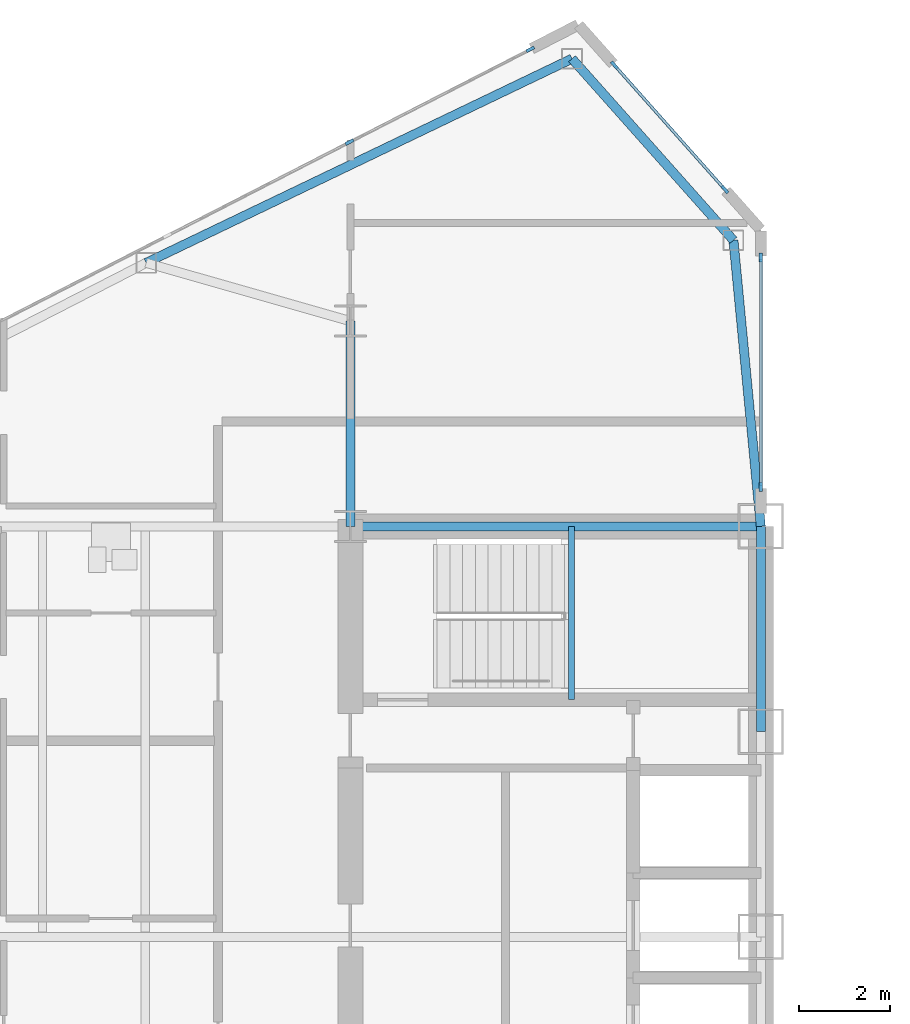
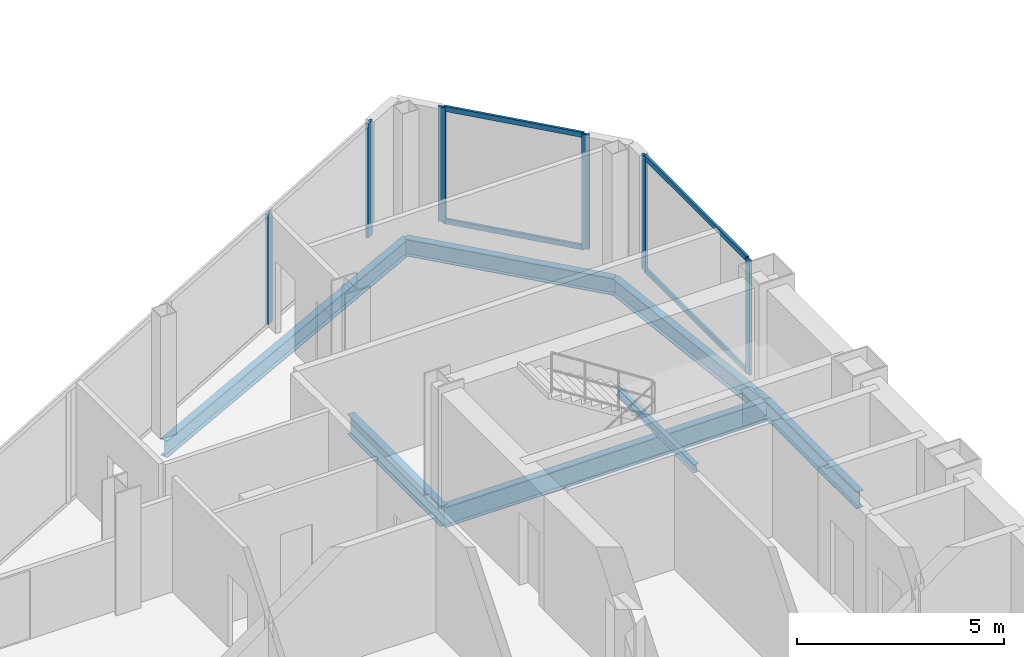
# One storey, part 7 of 23: 10 members, 7 beams, 3 elements without a shape of their own.
"""IFC4 building model written with IfcOpenShell, lengths in metres."""

from ifc_helpers import new_model, si_unit, direction, frame, origin, origin_2d, place, context, subcontext, project, spatial, rectangle, i_section, extrude, source, transform, mapped, material, layer, layer_set, material_profile, profile_set, type_object, type_shapes, element, aggregate, save


model = new_model("IFC4")

# Units and contexts
model_context = context("Model", 3, precision=1e-05, world=origin(), true_north=direction((0.0, 1.0)))
body_context = subcontext(model_context, "Body", "Model", "MODEL_VIEW")
ifc_project = project(units=[si_unit("LENGTHUNIT", "METRE"), si_unit("AREAUNIT", "SQUARE_METRE"), si_unit("VOLUMEUNIT", "CUBIC_METRE"), si_unit("PLANEANGLEUNIT", "RADIAN"), si_unit("MASSUNIT", "GRAM", prefix="KILO")], contexts=[model_context])

# Site, building, storey
site_placement = place(None, origin())
site = spatial("IfcSite", under=ifc_project, at=site_placement, CompositionType="ELEMENT")
building_placement = place(site_placement, origin())
building = spatial("IfcBuilding", under=site, at=building_placement, Name="Seokmaru Belvedere", CompositionType="ELEMENT")
storey_placement = place(building_placement, frame((0.0, 0.0, 154.800048828125)))
storey = spatial("IfcBuildingStorey", under=building, at=storey_placement, Name="L41", CompositionType="ELEMENT", Elevation=154.800048828125)

# Beams
ifc_material_1 = material(Name="Steel SM355 (355 MPa)", Category="steel")
ifc_material_profile_1 = material_profile(ifc_material_1, i_section(OverallWidth=0.199951171875, OverallDepth=0.5, WebThickness=0.010009765625, FlangeThickness=0.01611328125, at=origin_2d()), Name="H-500x200x10x16")
ifc_profile_set_1 = profile_set([ifc_material_profile_1], Name="Steel SM355 (355 MPa)")
beam_type_1 = type_object("IfcBeamType", Name="Perimeter Spandrel Beam H-500", PredefinedType="SPANDREL", material=ifc_profile_set_1)
shared_shape_1 = source(origin(), body_context, "Body", "SweptSolid", [
    extrude(i_section(OverallWidth=0.199951171875, OverallDepth=0.5, WebThickness=0.010009765625, FlangeThickness=0.01611328125, at=origin_2d()), origin(), (0.0, 0.0, 1.0), 4.5),
])
beam_1_placement = place(storey_placement, frame((-27.5, 9.0, -0.469970703125), z_axis=(0.0, 1.0, 0.0), x_axis=(-1.0, 0.0, 0.0)))
element("IfcBeam", 1, at=beam_1_placement, inside=storey, type_object=beam_type_1, Name="L41 W Portal Spine Spandrel 5", PredefinedType="SPANDREL", context=body_context, shape_type="MappedRepresentation", body=[
    mapped(shared_shape_1, transform((0.0, 0.0, 0.0), scale=1.0)),
])
ifc_material_profile_2 = material_profile(ifc_material_1, i_section(OverallWidth=0.199951171875, OverallDepth=0.60009765625, WebThickness=0.010986328125, FlangeThickness=0.01708984375, at=origin_2d()), Name="H-600x200x11x17")
ifc_profile_set_2 = profile_set([ifc_material_profile_2], Name="Steel SM355 (355 MPa)")
beam_type_2 = type_object("IfcBeamType", Name="Primary Floor Girder H-600", PredefinedType="BEAM", material=ifc_profile_set_2)
shared_shape_2 = source(origin(), body_context, "Body", "SweptSolid", [
    extrude(i_section(OverallWidth=0.199951171875, OverallDepth=0.60009765625, WebThickness=0.010986328125, FlangeThickness=0.01708984375, at=origin_2d()), origin(), (0.0, 0.0, 1.0), 9.0),
])
beam_2_placement = place(storey_placement, frame((-36.5, 13.5, -0.52001953125), z_axis=(1.0, 0.0, 0.0), x_axis=(0.0, 1.0, 0.0)))
element("IfcBeam", 2, at=beam_2_placement, inside=storey, type_object=beam_type_2, Name="L41 W Core Tie Girder 4", PredefinedType="BEAM", context=body_context, shape_type="MappedRepresentation", body=[
    mapped(shared_shape_2, transform((0.0, 0.0, 0.0), scale=1.0)),
])
shared_shape_3 = source(origin(), body_context, "Body", "SweptSolid", [
    extrude(i_section(OverallWidth=0.199951171875, OverallDepth=0.60009765625, WebThickness=0.010986328125, FlangeThickness=0.01708984375, at=origin_2d()), origin(), (0.0, 0.0, 1.0), 4.5),
])
type_shapes(beam_type_2, [shared_shape_2, shared_shape_3])
beam_3_placement = place(storey_placement, frame((-36.5, 13.5, -0.52001953125), z_axis=(0.0, 1.0, 0.0), x_axis=(-1.0, 0.0, 0.0)))
element("IfcBeam", 3, at=beam_3_placement, inside=storey, type_object=beam_type_2, Name="L41 W Core Shoulder Girder N", PredefinedType="BEAM", context=body_context, shape_type="MappedRepresentation", body=[
    mapped(shared_shape_3, transform((0.0, 0.0, 0.0), scale=1.0)),
])
shared_shape_4 = source(origin(), body_context, "Body", "SweptSolid", [
    extrude(i_section(OverallWidth=0.199951171875, OverallDepth=0.5, WebThickness=0.010009765625, FlangeThickness=0.01611328125, at=origin_2d()), origin(), (0.0, 0.0, 1.0), 10.353759765625),
])
beam_4_placement = place(storey_placement, frame((-31.6396484375, 23.75390625, -0.469970703125), z_axis=(-0.901713202822, -0.432334708134, 0.0), x_axis=(0.432334708134, -0.901713202822, 0.0)))
element("IfcBeam", 4, at=beam_4_placement, inside=storey, type_object=beam_type_1, Name="L41 W Faceted Flank Spandrel N-1", PredefinedType="SPANDREL", context=body_context, shape_type="MappedRepresentation", body=[
    mapped(shared_shape_4, transform((0.0, 0.0, 0.0), scale=1.0)),
])
shared_shape_5 = source(origin(), body_context, "Body", "SweptSolid", [
    extrude(i_section(OverallWidth=0.199951171875, OverallDepth=0.5, WebThickness=0.010009765625, FlangeThickness=0.01611328125, at=origin_2d()), origin(), (0.0, 0.0, 1.0), 5.32763671875),
])
beam_5_placement = place(storey_placement, frame((-31.6396484375, 23.75390625, -0.469970703125), z_axis=(0.66436952742, -0.74740426212, 0.0), x_axis=(0.74740426212, 0.66436952742, 0.0)))
element("IfcBeam", 5, at=beam_5_placement, inside=storey, type_object=beam_type_1, Name="L41 W Shoulder Chamfer Spandrel N", PredefinedType="SPANDREL", context=body_context, shape_type="MappedRepresentation", body=[
    mapped(shared_shape_5, transform((0.0, 0.0, 0.0), scale=1.0)),
])
shared_shape_6 = source(origin(), body_context, "Body", "SweptSolid", [
    extrude(i_section(OverallWidth=0.199951171875, OverallDepth=0.5, WebThickness=0.010009765625, FlangeThickness=0.01611328125, at=origin_2d()), origin(), (0.0, 0.0, 1.0), 6.300537109375),
])
type_shapes(beam_type_1, [shared_shape_1, shared_shape_4, shared_shape_5, shared_shape_6])
beam_6_placement = place(storey_placement, frame((-28.10009765625, 19.77197265625, -0.469970703125), z_axis=(0.095244287992, -0.995453929424, 0.0), x_axis=(0.995453929424, 0.095244287992, 0.0)))
element("IfcBeam", 6, at=beam_6_placement, inside=storey, type_object=beam_type_1, Name="L41 W Shoulder Spine Spandrel N", PredefinedType="SPANDREL", context=body_context, shape_type="MappedRepresentation", body=[
    mapped(shared_shape_6, transform((0.0, 0.0, 0.0), scale=1.0)),
])

# Curtain wall, members
ifc_material_2 = material(Name="Bronze Triple Insulating Glass", Category="glass")
ifc_layer = layer(ifc_material_2, 0.195068359375)
ifc_layer_set = layer_set([ifc_layer], Name="Bronze Triple Insulating Glass")
curtain_wall_type = type_object("IfcCurtainWallType", Name="Sky-Lobby and Mid-Rise Curtain Wall System CW-4", PredefinedType="NOTDEFINED", material=ifc_layer_set)
curtain_wall_1_placement = place(storey_placement, origin())
curtain_wall_1 = element("IfcCurtainWall", 7, at=curtain_wall_1_placement, inside=storey, type_object=curtain_wall_type, Name="L41 Curtain Wall WSP_2", PredefinedType="NOTDEFINED")
ifc_material_3 = material(Name="Anodised Bronze Aluminium", Category="aluminium")
ifc_material_profile_3 = material_profile(ifc_material_3, rectangle(XDim=0.070068359375, YDim=0.195068359375, at=origin_2d()), Name="CW-M-70x195")
ifc_profile_set_3 = profile_set([ifc_material_profile_3], Name="Anodised Bronze Aluminium")
member_type_1 = type_object("IfcMemberType", Name="Bronze Unitised Mullion 70x195", PredefinedType="MULLION", material=ifc_profile_set_3)
shared_shape_7 = source(origin(), body_context, "Body", "SweptSolid", [
    extrude(rectangle(XDim=0.070068359375, YDim=0.195068359375, at=origin_2d()), origin(), (0.0, 0.0, 1.0), 3.3798828125),
])
member_1_placement = place(storey_placement, frame((-27.5, 14.364990234375, 0.0), z_axis=(0.0, 0.0, 1.0), x_axis=(-1.0, 0.0, 0.0)))
member_1 = element("IfcMember", 8, at=member_1_placement, type_object=member_type_1, Name="CW:L41:WSP_2 Mullion 1", PredefinedType="MULLION", context=body_context, shape_type="MappedRepresentation", body=[
    mapped(shared_shape_7, transform((0.0, 0.0, 0.0), scale=1.0)),
])
member_2_placement = place(storey_placement, frame((-27.5, 19.39501953125, 0.0), z_axis=(0.0, 0.0, 1.0), x_axis=(-1.0, 0.0, 0.0)))
member_2 = element("IfcMember", 9, at=member_2_placement, type_object=member_type_1, Name="CW:L41:WSP_2 Mullion 2", PredefinedType="MULLION", context=body_context, shape_type="MappedRepresentation", body=[
    mapped(shared_shape_7, transform((0.0, 0.0, 0.0), scale=1.0)),
])

curtain_wall_2_placement = place(storey_placement, origin())
curtain_wall_2 = element("IfcCurtainWall", 10, at=curtain_wall_2_placement, inside=storey, type_object=curtain_wall_type, Name="L41 Curtain Wall WF2", PredefinedType="NOTDEFINED")
member_3_placement = place(storey_placement, frame((-28.287353515625, 20.8857421875, 0.0), z_axis=(0.0, 0.0, 1.0), x_axis=(-0.747409774804, -0.664363325694, 0.0)))
member_3 = element("IfcMember", 11, at=member_3_placement, type_object=member_type_1, Name="CW:L41:WF2 Mullion 1", PredefinedType="MULLION", context=body_context, shape_type="MappedRepresentation", body=[
    mapped(shared_shape_7, transform((0.0, 0.0, 0.0), scale=1.0)),
])
member_4_placement = place(storey_placement, frame((-30.712646484375, 23.6142578125, 0.0), z_axis=(0.0, 0.0, 1.0), x_axis=(-0.747409774804, -0.664363325694, 0.0)))
member_4 = element("IfcMember", 12, at=member_4_placement, type_object=member_type_1, Name="CW:L41:WF2 Mullion 2", PredefinedType="MULLION", context=body_context, shape_type="MappedRepresentation", body=[
    mapped(shared_shape_7, transform((0.0, 0.0, 0.0), scale=1.0)),
])

# Curtain wall, member
curtain_wall_3_placement = place(storey_placement, origin())
curtain_wall_3 = element("IfcCurtainWall", 13, at=curtain_wall_3_placement, inside=storey, type_object=curtain_wall_type, Name="L41 Curtain Wall WF3", PredefinedType="NOTDEFINED")
member_5_placement = place(storey_placement, frame((-32.55419921875, 23.958984375, 0.0), z_axis=(0.0, 0.0, 1.0), x_axis=(0.456554528263, -0.889695432562, 0.0)))
member_5 = element("IfcMember", 14, at=member_5_placement, type_object=member_type_1, Name="CW:L41:WF3 Mullion 1", PredefinedType="MULLION", context=body_context, shape_type="MappedRepresentation", body=[
    mapped(shared_shape_7, transform((0.0, 0.0, 0.0), scale=1.0)),
])

# Member
ifc_material_profile_4 = material_profile(ifc_material_3, rectangle(XDim=0.06494140625, YDim=0.14990234375, at=origin_2d()), Name="CW-T-65x150")
ifc_profile_set_4 = profile_set([ifc_material_profile_4], Name="Anodised Bronze Aluminium")
member_type_2 = type_object("IfcMemberType", Name="Bronze Unitised Transom 65x150", PredefinedType="USERDEFINED", material=ifc_profile_set_4)
shared_shape_8 = source(origin(), body_context, "Body", "SweptSolid", [
    extrude(rectangle(XDim=0.06494140625, YDim=0.14990234375, at=origin_2d()), origin(), (0.0, 0.0, 1.0), 3.580810546875),
])
member_6_placement = place(storey_placement, frame((-28.310546875, 20.911865234375, 0.032470703125), z_axis=(-0.66436383883, 0.747409318684, 0.0), x_axis=(-0.747409318684, -0.66436383883, 0.0)))
member_6 = element("IfcMember", 15, at=member_6_placement, type_object=member_type_2, Name="CW:L41:WF2 Continuous Transom 1", ObjectType="TRANSOM", PredefinedType="USERDEFINED", context=body_context, shape_type="MappedRepresentation", body=[
    mapped(shared_shape_8, transform((0.0, 0.0, 0.0), scale=1.0)),
])

member_7_placement = place(storey_placement, frame((-28.310546875, 20.911865234375, 3.347412109375), z_axis=(-0.66436383883, 0.747409318684, 0.0), x_axis=(-0.747409318684, -0.66436383883, 0.0)))
member_7 = element("IfcMember", 16, at=member_7_placement, type_object=member_type_2, Name="CW:L41:WF2 Continuous Transom 2", ObjectType="TRANSOM", PredefinedType="USERDEFINED", context=body_context, shape_type="MappedRepresentation", body=[
    mapped(shared_shape_8, transform((0.0, 0.0, 0.0), scale=1.0)),
])

aggregate(curtain_wall_2, [member_3, member_4, member_6, member_7])

shared_shape_9 = source(origin(), body_context, "Body", "SweptSolid", [
    extrude(rectangle(XDim=0.070068359375, YDim=0.195068359375, at=origin_2d()), origin(), (0.0, 0.0, 1.0), 3.25),
])
type_shapes(member_type_1, [shared_shape_7, shared_shape_9])
member_8_placement = place(storey_placement, frame((-36.51806640625, 21.925048828125, 0.06494140625), z_axis=(0.0, 0.0, 1.0), x_axis=(0.456554528263, -0.889695432562, 0.0)))
member_8 = element("IfcMember", 17, at=member_8_placement, type_object=member_type_1, Name="CW:L41:WF3 Mullion 2", PredefinedType="MULLION", context=body_context, shape_type="MappedRepresentation", body=[
    mapped(shared_shape_9, transform((0.0, 0.0, 0.0), scale=1.0)),
])

aggregate(curtain_wall_3, [member_5, member_8])

shared_shape_10 = source(origin(), body_context, "Body", "SweptSolid", [
    extrude(rectangle(XDim=0.06494140625, YDim=0.14990234375, at=origin_2d()), origin(), (0.0, 0.0, 1.0), 4.960205078125),
])
type_shapes(member_type_2, [shared_shape_8, shared_shape_10])
member_9_placement = place(storey_placement, frame((-27.5, 14.39990234375, 0.032470703125), z_axis=(0.0, 1.0, 0.0), x_axis=(-1.0, 0.0, 0.0)))
member_9 = element("IfcMember", 18, at=member_9_placement, type_object=member_type_2, Name="CW:L41:WSP_2 Continuous Transom 1", ObjectType="TRANSOM", PredefinedType="USERDEFINED", context=body_context, shape_type="MappedRepresentation", body=[
    mapped(shared_shape_10, transform((0.0, 0.0, 0.0), scale=1.0)),
])

member_10_placement = place(storey_placement, frame((-27.5, 14.39990234375, 3.347412109375), z_axis=(0.0, 1.0, 0.0), x_axis=(-1.0, 0.0, 0.0)))
member_10 = element("IfcMember", 19, at=member_10_placement, type_object=member_type_2, Name="CW:L41:WSP_2 Continuous Transom 2", ObjectType="TRANSOM", PredefinedType="USERDEFINED", context=body_context, shape_type="MappedRepresentation", body=[
    mapped(shared_shape_10, transform((0.0, 0.0, 0.0), scale=1.0)),
])

aggregate(curtain_wall_1, [member_1, member_2, member_9, member_10])

# Beam
ifc_material_profile_5 = material_profile(ifc_material_1, i_section(OverallWidth=0.125, OverallDepth=0.25, WebThickness=0.006103515625, FlangeThickness=0.009033203125, at=origin_2d()), Name="H-250x125x6x9")
ifc_profile_set_5 = profile_set([ifc_material_profile_5], Name="Steel SM355 (355 MPa)")
beam_type_3 = type_object("IfcBeamType", Name="Stair Mid-Landing Support Beam H-250", PredefinedType="JOIST", material=ifc_profile_set_5)
shared_shape_11 = source(origin(), body_context, "Body", "SweptSolid", [
    extrude(i_section(OverallWidth=0.125, OverallDepth=0.25, WebThickness=0.006103515625, FlangeThickness=0.009033203125, at=origin_2d()), origin(), (0.0, 0.0, 1.0), 3.800048828125),
])
type_shapes(beam_type_3, [shared_shape_11])
beam_7_placement = place(storey_placement, frame((-31.64990234375, 9.699951171875, 1.474853515625), z_axis=(0.0, 1.0, 0.0), x_axis=(-1.0, 0.0, 0.0)))
element("IfcBeam", 20, at=beam_7_placement, inside=storey, type_object=beam_type_3, Name="L41 Stair ST-W2 Mid-Landing Support Beam 1", PredefinedType="JOIST", context=body_context, shape_type="MappedRepresentation", body=[
    mapped(shared_shape_11, transform((0.0, 0.0, 0.0), scale=1.0)),
])

save(model, "model.ifc")
